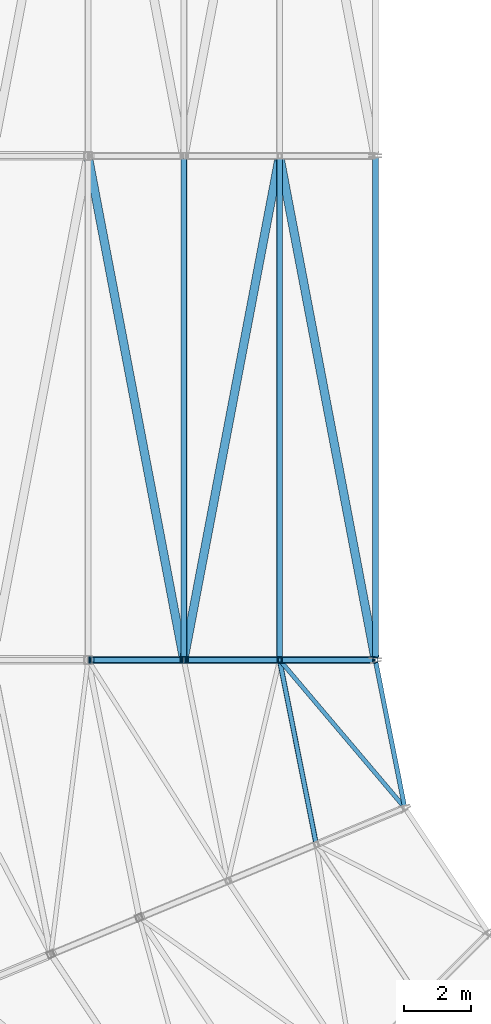
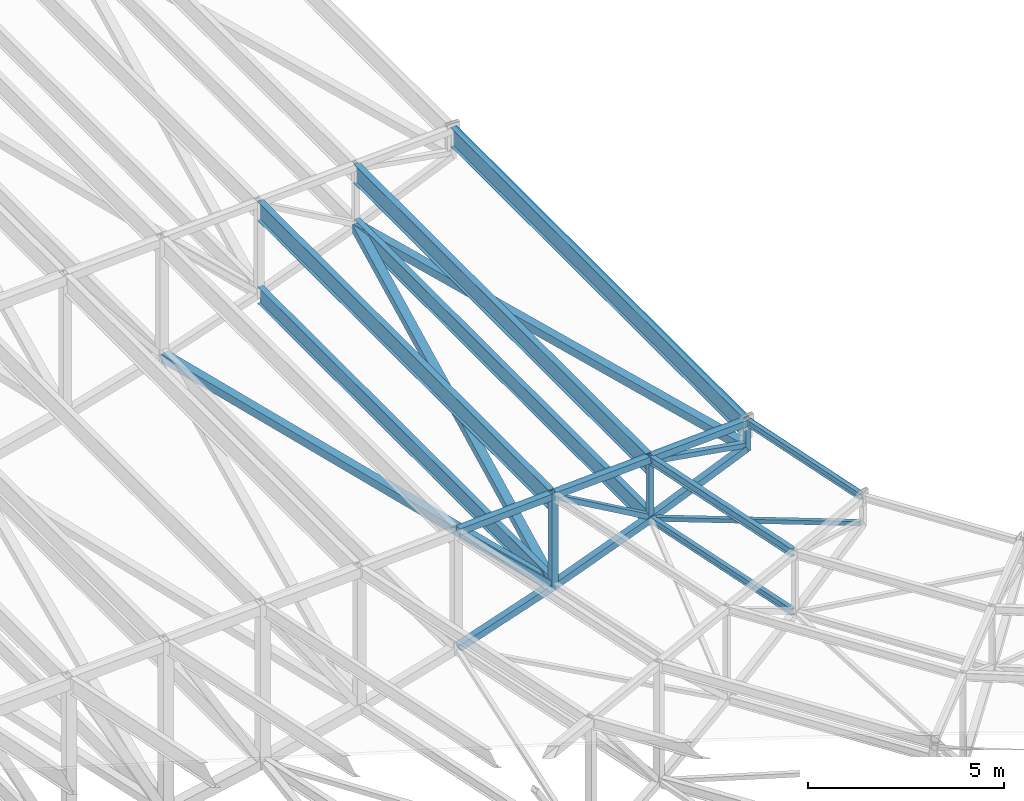
# One storey, part 17 of 278: 15 members, 9 beams.
"""IFC4 building model written with IfcOpenShell, lengths in metres."""

from ifc_helpers import new_model, si_unit, direction, frame, origin, origin_2d, place, context, subcontext, project, spatial, hollow_rectangle, i_section, extrude, material, material_profile, profile_set, type_object, element, save


model = new_model("IFC4")

# Units and contexts
model_context = context("Model", 3, precision=1e-05, world=origin(), true_north=direction((0.0, 1.0)))
body_context = subcontext(model_context, "Body", "Model", "MODEL_VIEW")
ifc_project = project(units=[si_unit("LENGTHUNIT", "METRE"), si_unit("AREAUNIT", "SQUARE_METRE"), si_unit("VOLUMEUNIT", "CUBIC_METRE"), si_unit("PLANEANGLEUNIT", "RADIAN"), si_unit("MASSUNIT", "GRAM", prefix="KILO")], contexts=[model_context])

# Site, building, storey
site_placement = place(None, origin())
site = spatial("IfcSite", under=ifc_project, at=site_placement, CompositionType="ELEMENT")
building_placement = place(site_placement, origin())
building = spatial("IfcBuilding", under=site, at=building_placement, Name="Ogive Plaza Stadium", CompositionType="ELEMENT")
storey_placement = place(building_placement, frame((0.0, 0.0, 29.0)))
storey = spatial("IfcBuildingStorey", under=building, at=storey_placement, Name="Roof", CompositionType="ELEMENT", Elevation=29.0)

# Members
ifc_material_1 = material(Name="Steel ASTM A500 Grade C", Category="steel")
ifc_material_profile_1 = material_profile(ifc_material_1, hollow_rectangle(XDim=0.25390625, YDim=0.25390625, WallThickness=0.0087890625, at=origin_2d()), Name="HSS10X10X3/8")
ifc_profile_set_1 = profile_set([ifc_material_profile_1], Name="Steel ASTM A500 Grade C")
member_type_1 = type_object("IfcMemberType", Name="Roof plan brace HSS10X10X3/8", PredefinedType="BRACE", material=ifc_profile_set_1)
member_1_placement = place(storey_placement, frame((-45.513427734375, -52.4296875, 6.520751953125), z_axis=(-0.1860644689, 0.979300227871, -0.079693645318), x_axis=(-0.982424925297, -0.186658153196, 0.0)))
element("IfcMember", 1, at=member_1_placement, inside=storey, type_object=member_type_1, Name="ROOF BRACE B21 1", PredefinedType="BRACE", context=body_context, shape_type="SweptSolid", body=[
    extrude(hollow_rectangle(XDim=0.25390625, YDim=0.25390625, WallThickness=0.0087890625, at=origin_2d()), origin(), (0.0, 0.0, 1.0), 15.173583984375),
])
member_2_placement = place(storey_placement, frame((-48.36328125, -37.5703125, 5.30078125), z_axis=(-0.18619699352, -0.979917118172, -0.071366106221), x_axis=(0.982422109195, -0.186672974385, 0.0)))
element("IfcMember", 2, at=member_2_placement, inside=storey, type_object=member_type_1, Name="ROOF BRACE B21 2", PredefinedType="BRACE", context=body_context, shape_type="SweptSolid", body=[
    extrude(hollow_rectangle(XDim=0.25390625, YDim=0.25390625, WallThickness=0.0087890625, at=origin_2d()), origin(), (0.0, 0.0, 1.0), 15.1376953125),
])
member_3_placement = place(storey_placement, frame((-51.21826171875, -52.404052734375, 4.20751953125), z_axis=(-0.186305134019, 0.980575459807, -0.061336487198), x_axis=(-0.982425223956, -0.186656581279, 0.0)))
element("IfcMember", 3, at=member_3_placement, inside=storey, type_object=member_type_1, Name="ROOF BRACE B21 3", PredefinedType="BRACE", context=body_context, shape_type="SweptSolid", body=[
    extrude(hollow_rectangle(XDim=0.25390625, YDim=0.25390625, WallThickness=0.0087890625, at=origin_2d()), origin(), (0.0, 0.0, 1.0), 15.1015625),
])
ifc_material_2 = material(Name="Steel ASTM A500 Grade C", Category="steel")
ifc_material_profile_2 = material_profile(ifc_material_2, hollow_rectangle(XDim=0.126953125, YDim=0.126953125, WallThickness=0.005859375, at=origin_2d()), Name="HSS5X5X1/4")
ifc_profile_set_2 = profile_set([ifc_material_profile_2], Name="Steel ASTM A500 Grade C")
member_type_2 = type_object("IfcMemberType", Name="Roof plan brace HSS5X5X1/4", PredefinedType="BRACE", material=ifc_profile_set_2)
member_4_placement = place(storey_placement, frame((-44.670166015625, -56.84716796875, 6.51171875), z_axis=(-0.632084810246, 0.746705370574, -0.207122867429), x_axis=(-0.763256638143, -0.646095429739, 0.0)))
element("IfcMember", 4, at=member_4_placement, inside=storey, type_object=member_type_2, Name="ROOF BRACE B20 1", PredefinedType="BRACE", context=body_context, shape_type="SweptSolid", body=[
    extrude(hollow_rectangle(XDim=0.126953125, YDim=0.126953125, WallThickness=0.005859375, at=origin_2d()), origin(), (0.0, 0.0, 1.0), 5.695556640625),
])
ifc_material_3 = material(Name="Steel ASTM A992 Grade 50", Category="steel")
ifc_material_profile_3 = material_profile(ifc_material_3, i_section(OverallWidth=0.1650390625, OverallDepth=0.524658203125, WebThickness=0.0087890625, FlangeThickness=0.011474609375, at=origin_2d()), Name="W21X44")
ifc_profile_set_3 = profile_set([ifc_material_profile_3], Name="Steel ASTM A992 Grade 50")
member_type_3 = type_object("IfcMemberType", Name="Roof plan strut W21X44", PredefinedType="STRUT", material=ifc_profile_set_3)
member_5_placement = place(storey_placement, frame((-48.35009765625, -52.453857421875, 5.305908203125), z_axis=(0.0, 1.0, 0.0), x_axis=(-1.0, 0.0, 0.0)))
element("IfcMember", 5, at=member_5_placement, inside=storey, type_object=member_type_3, Name="ROOF STRUT B21 1", PredefinedType="STRUT", context=body_context, shape_type="SweptSolid", body=[
    extrude(i_section(OverallWidth=0.1650390625, OverallDepth=0.524658203125, WebThickness=0.0087890625, FlangeThickness=0.011474609375, at=origin_2d()), origin(), (0.0, 0.0, 1.0), 14.90771484375),
])
member_6_placement = place(storey_placement, frame((-51.199951171875, -52.428466796875, 4.213623046875), z_axis=(0.0, 1.0, 0.0), x_axis=(-1.0, 0.0, 0.0)))
element("IfcMember", 6, at=member_6_placement, inside=storey, type_object=member_type_3, Name="ROOF STRUT B21 2", PredefinedType="STRUT", context=body_context, shape_type="SweptSolid", body=[
    extrude(i_section(OverallWidth=0.1650390625, OverallDepth=0.524658203125, WebThickness=0.0087890625, FlangeThickness=0.011474609375, at=origin_2d()), origin(), (0.0, 0.0, 1.0), 14.85693359375),
])
ifc_material_4 = material(Name="Steel ASTM A992 Grade 50", Category="steel")
ifc_material_profile_4 = material_profile(ifc_material_4, i_section(OverallWidth=0.13330078125, OverallDepth=0.206787109375, WebThickness=0.005859375, FlangeThickness=0.00830078125, at=origin_2d()), Name="W8X18")
ifc_profile_set_4 = profile_set([ifc_material_profile_4], Name="Steel ASTM A992 Grade 50")
member_type_4 = type_object("IfcMemberType", Name="Roof plan strut W8X18", PredefinedType="STRUT", material=ifc_profile_set_4)
member_7_placement = place(storey_placement, frame((-47.26953125, -57.931640625, 5.305908203125), z_axis=(-0.195104522491, 0.980782455646, 0.0), x_axis=(-0.980782455646, -0.195104522491, 0.0)))
element("IfcMember", 7, at=member_7_placement, inside=storey, type_object=member_type_4, Name="ROOF STRUT B20 1", PredefinedType="STRUT", context=body_context, shape_type="SweptSolid", body=[
    extrude(i_section(OverallWidth=0.13330078125, OverallDepth=0.206787109375, WebThickness=0.005859375, FlangeThickness=0.00830078125, at=origin_2d()), origin(), (0.0, 0.0, 1.0), 5.47705078125),
])
ifc_material_5 = material(Name="Steel ASTM A992 Grade 50", Category="steel")
ifc_material_profile_5 = material_profile(ifc_material_5, i_section(OverallWidth=0.14599609375, OverallDepth=0.25830078125, WebThickness=0.006103515625, FlangeThickness=0.009033203125, at=origin_2d()), Name="W10X22")
ifc_profile_set_5 = profile_set([ifc_material_profile_5], Name="Steel ASTM A992 Grade 50")
member_type_5 = type_object("IfcMemberType", Name="Roof purlin W10X22", PredefinedType="PURLIN", material=ifc_profile_set_5)
member_8_placement = place(storey_placement, frame((-47.269775390625, -57.930419921875, 7.1533203125), z_axis=(-0.195104062379, 0.980782547175, 0.0), x_axis=(-0.980782547175, -0.195104062379, 0.0)))
element("IfcMember", 8, at=member_8_placement, inside=storey, type_object=member_type_5, Name="ROOF PURLIN B20 1", PredefinedType="PURLIN", context=body_context, shape_type="SweptSolid", body=[
    extrude(i_section(OverallWidth=0.14599609375, OverallDepth=0.25830078125, WebThickness=0.006103515625, FlangeThickness=0.009033203125, at=origin_2d()), origin(), (0.0, 0.0, 1.0), 5.474609375),
])
ifc_material_6 = material(Name="Steel ASTM A992 Grade 50", Category="steel")
ifc_material_profile_6 = material_profile(ifc_material_6, i_section(OverallWidth=0.177978515625, OverallDepth=0.5986328125, WebThickness=0.010009765625, FlangeThickness=0.012939453125, at=origin_2d()), Name="W24X55")
ifc_profile_set_6 = profile_set([ifc_material_profile_6], Name="Steel ASTM A992 Grade 50")
member_type_6 = type_object("IfcMemberType", Name="Roof purlin W24X55", PredefinedType="PURLIN", material=ifc_profile_set_6)
member_9_placement = place(storey_placement, frame((-48.35009765625, -52.453857421875, 6.983154296875), z_axis=(0.0, 1.0, 0.0), x_axis=(-1.0, 0.0, 0.0)))
element("IfcMember", 9, at=member_9_placement, inside=storey, type_object=member_type_6, Name="ROOF PURLIN B21 1", PredefinedType="PURLIN", context=body_context, shape_type="SweptSolid", body=[
    extrude(i_section(OverallWidth=0.177978515625, OverallDepth=0.5986328125, WebThickness=0.010009765625, FlangeThickness=0.012939453125, at=origin_2d()), origin(), (0.0, 0.0, 1.0), 14.90771484375),
])
member_10_placement = place(storey_placement, frame((-51.199951171875, -52.428466796875, 6.840576171875), z_axis=(0.0, 1.0, 0.0), x_axis=(-1.0, 0.0, 0.0)))
element("IfcMember", 10, at=member_10_placement, inside=storey, type_object=member_type_6, Name="ROOF PURLIN B21 2", PredefinedType="PURLIN", context=body_context, shape_type="SweptSolid", body=[
    extrude(i_section(OverallWidth=0.177978515625, OverallDepth=0.5986328125, WebThickness=0.010009765625, FlangeThickness=0.012939453125, at=origin_2d()), origin(), (0.0, 0.0, 1.0), 14.85693359375),
])
ifc_material_7 = material(Name="Steel ASTM A992 Grade 50", Category="steel")
ifc_material_profile_7 = material_profile(ifc_material_7, i_section(OverallWidth=0.177978515625, OverallDepth=0.5986328125, WebThickness=0.010009765625, FlangeThickness=0.012939453125, at=origin_2d()), Name="W24X55")
ifc_profile_set_7 = profile_set([ifc_material_profile_7], Name="Steel ASTM A992 Grade 50")
member_type_7 = type_object("IfcMemberType", Name="Roof tip ring beam W24X55", PredefinedType="MEMBER", material=ifc_profile_set_7)
member_11_placement = place(storey_placement, frame((-45.5, -52.453857421875, 7.125732421875), z_axis=(0.0, 1.0, 0.0), x_axis=(-1.0, 0.0, 0.0)))
element("IfcMember", 11, at=member_11_placement, inside=storey, type_object=member_type_7, Name="RING BEAM B21", PredefinedType="MEMBER", context=body_context, shape_type="SweptSolid", body=[
    extrude(i_section(OverallWidth=0.177978515625, OverallDepth=0.5986328125, WebThickness=0.010009765625, FlangeThickness=0.012939453125, at=origin_2d()), origin(), (0.0, 0.0, 1.0), 14.90771484375),
])
ifc_material_8 = material(Name="Steel ASTM A992 Grade 50", Category="steel")
ifc_material_profile_8 = material_profile(ifc_material_8, i_section(OverallWidth=0.13330078125, OverallDepth=0.206787109375, WebThickness=0.005859375, FlangeThickness=0.00830078125, at=origin_2d()), Name="W8X18")
ifc_profile_set_8 = profile_set([ifc_material_profile_8], Name="Steel ASTM A992 Grade 50")
member_type_8 = type_object("IfcMemberType", Name="Roof tip ring beam W8X18", PredefinedType="MEMBER", material=ifc_profile_set_8)
member_12_placement = place(storey_placement, frame((-44.636474609375, -56.841064453125, 7.321533203125), z_axis=(-0.195083474499, 0.980786642434, 0.0), x_axis=(-0.980786642434, -0.195083474499, 0.0)))
element("IfcMember", 12, at=member_12_placement, inside=storey, type_object=member_type_8, Name="RING BEAM B20", PredefinedType="MEMBER", context=body_context, shape_type="SweptSolid", body=[
    extrude(i_section(OverallWidth=0.13330078125, OverallDepth=0.206787109375, WebThickness=0.005859375, FlangeThickness=0.00830078125, at=origin_2d()), origin(), (0.0, 0.0, 1.0), 4.365234375),
])

# Beams
ifc_material_9 = material(Name="Steel ASTM A500 Grade C", Category="steel")
ifc_material_profile_9 = material_profile(ifc_material_9, hollow_rectangle(XDim=0.203125, YDim=0.203125, WallThickness=0.01171875, at=origin_2d()), Name="HSS8X8X1/2")
ifc_profile_set_9 = profile_set([ifc_material_profile_9], Name="Steel ASTM A500 Grade C")
beam_type_1 = type_object("IfcBeamType", Name="Roof truss bottom chord HSS8X8X1/2", PredefinedType="BEAM", material=ifc_profile_set_9)
beam_1_placement = place(storey_placement, frame((-45.5400390625, -52.5, 6.518310546875), z_axis=(-0.919215459426, 0.0, -0.393754922702), x_axis=(0.0, -1.0, 0.0)))
element("IfcBeam", 13, at=beam_1_placement, inside=storey, type_object=beam_type_1, Name="ROOF TRUSS T21 BOTTOM CHORD 1", PredefinedType="BEAM", context=body_context, shape_type="SweptSolid", body=[
    extrude(hollow_rectangle(XDim=0.203125, YDim=0.203125, WallThickness=0.01171875, at=origin_2d()), origin(), (0.0, 0.0, 1.0), 3.04736328125),
])
beam_2_placement = place(storey_placement, frame((-48.386474609375, -52.5, 5.299072265625), z_axis=(-0.933780874892, 0.0, -0.357845326484), x_axis=(0.0, -1.0, 0.0)))
element("IfcBeam", 14, at=beam_2_placement, inside=storey, type_object=beam_type_1, Name="ROOF TRUSS T21 BOTTOM CHORD 2", PredefinedType="BEAM", context=body_context, shape_type="SweptSolid", body=[
    extrude(hollow_rectangle(XDim=0.203125, YDim=0.203125, WallThickness=0.01171875, at=origin_2d()), origin(), (0.0, 0.0, 1.0), 2.97314453125),
])
beam_3_placement = place(storey_placement, frame((-51.24072265625, -52.5, 4.20556640625), z_axis=(-0.947299736415, 0.0, -0.320348574817), x_axis=(0.0, -1.0, 0.0)))
element("IfcBeam", 15, at=beam_3_placement, inside=storey, type_object=beam_type_1, Name="ROOF TRUSS T21 BOTTOM CHORD 3", PredefinedType="BEAM", context=body_context, shape_type="SweptSolid", body=[
    extrude(hollow_rectangle(XDim=0.203125, YDim=0.203125, WallThickness=0.01171875, at=origin_2d()), origin(), (0.0, 0.0, 1.0), 2.912841796875),
])

# Members
ifc_material_10 = material(Name="Steel ASTM A500 Grade C", Category="steel")
ifc_material_profile_10 = material_profile(ifc_material_10, hollow_rectangle(XDim=0.15234375, YDim=0.15234375, WallThickness=0.005859375, at=origin_2d()), Name="HSS6X6X1/4")
ifc_profile_set_10 = profile_set([ifc_material_profile_10], Name="Steel ASTM A500 Grade C")
member_type_9 = type_object("IfcMemberType", Name="Roof truss diagonal HSS6X6X1/4", PredefinedType="BRACE", material=ifc_profile_set_10)
member_13_placement = place(storey_placement, frame((-45.576171875, -52.5, 6.628173828125), z_axis=(-0.986299671123, 0.0, 0.164963507307), x_axis=(0.0, -1.0, 0.0)))
element("IfcMember", 16, at=member_13_placement, inside=storey, type_object=member_type_9, Name="ROOF TRUSS T21 DIAGONAL 1", PredefinedType="BRACE", context=body_context, shape_type="SweptSolid", body=[
    extrude(hollow_rectangle(XDim=0.15234375, YDim=0.15234375, WallThickness=0.005859375, at=origin_2d()), origin(), (0.0, 0.0, 1.0), 2.73486328125),
])
member_14_placement = place(storey_placement, frame((-48.42626953125, -52.5, 5.407470703125), z_axis=(-0.8679111184, 0.0, 0.496719529069), x_axis=(0.0, -1.0, 0.0)))
element("IfcMember", 17, at=member_14_placement, inside=storey, type_object=member_type_9, Name="ROOF TRUSS T21 DIAGONAL 2", PredefinedType="BRACE", context=body_context, shape_type="SweptSolid", body=[
    extrude(hollow_rectangle(XDim=0.15234375, YDim=0.15234375, WallThickness=0.005859375, at=origin_2d()), origin(), (0.0, 0.0, 1.0), 3.078857421875),
])
ifc_material_11 = material(Name="Steel ASTM A500 Grade C", Category="steel")
ifc_material_profile_11 = material_profile(ifc_material_11, hollow_rectangle(XDim=0.15234375, YDim=0.15234375, WallThickness=0.0087890625, at=origin_2d()), Name="HSS6X6X3/8")
ifc_profile_set_11 = profile_set([ifc_material_profile_11], Name="Steel ASTM A500 Grade C")
member_type_10 = type_object("IfcMemberType", Name="Roof truss diagonal HSS6X6X3/8", PredefinedType="BRACE", material=ifc_profile_set_11)
member_15_placement = place(storey_placement, frame((-51.301513671875, -52.5, 4.315185546875), z_axis=(-0.726588919749, 0.0, 0.687072442832), x_axis=(0.0, -1.0, 0.0)))
element("IfcMember", 18, at=member_15_placement, inside=storey, type_object=member_type_10, Name="ROOF TRUSS T21 DIAGONAL 3", PredefinedType="BRACE", context=body_context, shape_type="SweptSolid", body=[
    extrude(hollow_rectangle(XDim=0.15234375, YDim=0.15234375, WallThickness=0.0087890625, at=origin_2d()), origin(), (0.0, 0.0, 1.0), 3.608154296875),
])

# Beams
ifc_material_12 = material(Name="Steel ASTM A500 Grade C", Category="steel")
ifc_material_profile_12 = material_profile(ifc_material_12, hollow_rectangle(XDim=0.15234375, YDim=0.15234375, WallThickness=0.0087890625, at=origin_2d()), Name="HSS6X6X3/8")
ifc_profile_set_12 = profile_set([ifc_material_profile_12], Name="Steel ASTM A500 Grade C")
beam_type_2 = type_object("IfcBeamType", Name="Roof truss post HSS6X6X3/8", PredefinedType="BEAM", material=ifc_profile_set_12)
beam_4_placement = place(storey_placement, frame((-45.5, -52.5, 6.425048828125), z_axis=(0.0, 0.0, 1.0), x_axis=(0.0, -1.0, 0.0)))
element("IfcBeam", 19, at=beam_4_placement, inside=storey, type_object=beam_type_2, Name="ROOF TRUSS T21 POST 1", PredefinedType="BEAM", context=body_context, shape_type="SweptSolid", body=[
    extrude(hollow_rectangle(XDim=0.15234375, YDim=0.15234375, WallThickness=0.0087890625, at=origin_2d()), origin(), (0.0, 0.0, 1.0), 1.0),
])
beam_5_placement = place(storey_placement, frame((-48.35009765625, -52.5, 5.204345703125), z_axis=(0.0, 0.0, 1.0), x_axis=(0.0, -1.0, 0.0)))
element("IfcBeam", 20, at=beam_5_placement, inside=storey, type_object=beam_type_2, Name="ROOF TRUSS T21 POST 2", PredefinedType="BEAM", context=body_context, shape_type="SweptSolid", body=[
    extrude(hollow_rectangle(XDim=0.15234375, YDim=0.15234375, WallThickness=0.0087890625, at=origin_2d()), origin(), (0.0, 0.0, 1.0), 2.078125),
])
ifc_material_13 = material(Name="Steel ASTM A500 Grade C", Category="steel")
ifc_material_profile_13 = material_profile(ifc_material_13, hollow_rectangle(XDim=0.203125, YDim=0.203125, WallThickness=0.0087890625, at=origin_2d()), Name="HSS8X8X3/8")
ifc_profile_set_13 = profile_set([ifc_material_profile_13], Name="Steel ASTM A500 Grade C")
beam_type_3 = type_object("IfcBeamType", Name="Roof truss post HSS8X8X3/8", PredefinedType="BEAM", material=ifc_profile_set_13)
beam_6_placement = place(storey_placement, frame((-51.199951171875, -52.5, 4.112060546875), z_axis=(0.0, 0.0, 1.0), x_axis=(0.0, -1.0, 0.0)))
element("IfcBeam", 21, at=beam_6_placement, inside=storey, type_object=beam_type_3, Name="ROOF TRUSS T21 POST 3", PredefinedType="BEAM", context=body_context, shape_type="SweptSolid", body=[
    extrude(hollow_rectangle(XDim=0.203125, YDim=0.203125, WallThickness=0.0087890625, at=origin_2d()), origin(), (0.0, 0.0, 1.0), 3.02783203125),
])
ifc_material_14 = material(Name="Steel ASTM A500 Grade C", Category="steel")
ifc_material_profile_14 = material_profile(ifc_material_14, hollow_rectangle(XDim=0.203125, YDim=0.203125, WallThickness=0.0087890625, at=origin_2d()), Name="HSS8X8X3/8")
ifc_profile_set_14 = profile_set([ifc_material_profile_14], Name="Steel ASTM A500 Grade C")
beam_type_4 = type_object("IfcBeamType", Name="Roof truss top chord HSS8X8X3/8", PredefinedType="BEAM", material=ifc_profile_set_14)
beam_7_placement = place(storey_placement, frame((-45.541259765625, -52.5, 7.3212890625), z_axis=(-0.998751459876, 0.0, -0.049955193873), x_axis=(0.0, -1.0, 0.0)))
element("IfcBeam", 22, at=beam_7_placement, inside=storey, type_object=beam_type_4, Name="ROOF TRUSS T21 TOP CHORD 1", PredefinedType="BEAM", context=body_context, shape_type="SweptSolid", body=[
    extrude(hollow_rectangle(XDim=0.203125, YDim=0.203125, WallThickness=0.0087890625, at=origin_2d()), origin(), (0.0, 0.0, 1.0), 2.77099609375),
])
beam_8_placement = place(storey_placement, frame((-48.39111328125, -52.5, 7.1787109375), z_axis=(-0.998752338878, 0.0, -0.049937616944), x_axis=(0.0, -1.0, 0.0)))
element("IfcBeam", 23, at=beam_8_placement, inside=storey, type_object=beam_type_4, Name="ROOF TRUSS T21 TOP CHORD 2", PredefinedType="BEAM", context=body_context, shape_type="SweptSolid", body=[
    extrude(hollow_rectangle(XDim=0.203125, YDim=0.203125, WallThickness=0.0087890625, at=origin_2d()), origin(), (0.0, 0.0, 1.0), 2.76220703125),
])
beam_9_placement = place(storey_placement, frame((-51.25, -52.5, 7.035888671875), z_axis=(-0.998748798523, 0.0, -0.05000837379), x_axis=(0.0, -1.0, 0.0)))
element("IfcBeam", 24, at=beam_9_placement, inside=storey, type_object=beam_type_4, Name="ROOF TRUSS T21 TOP CHORD 3", PredefinedType="BEAM", context=body_context, shape_type="SweptSolid", body=[
    extrude(hollow_rectangle(XDim=0.203125, YDim=0.203125, WallThickness=0.0087890625, at=origin_2d()), origin(), (0.0, 0.0, 1.0), 2.75341796875),
])

save(model, "model.ifc")
